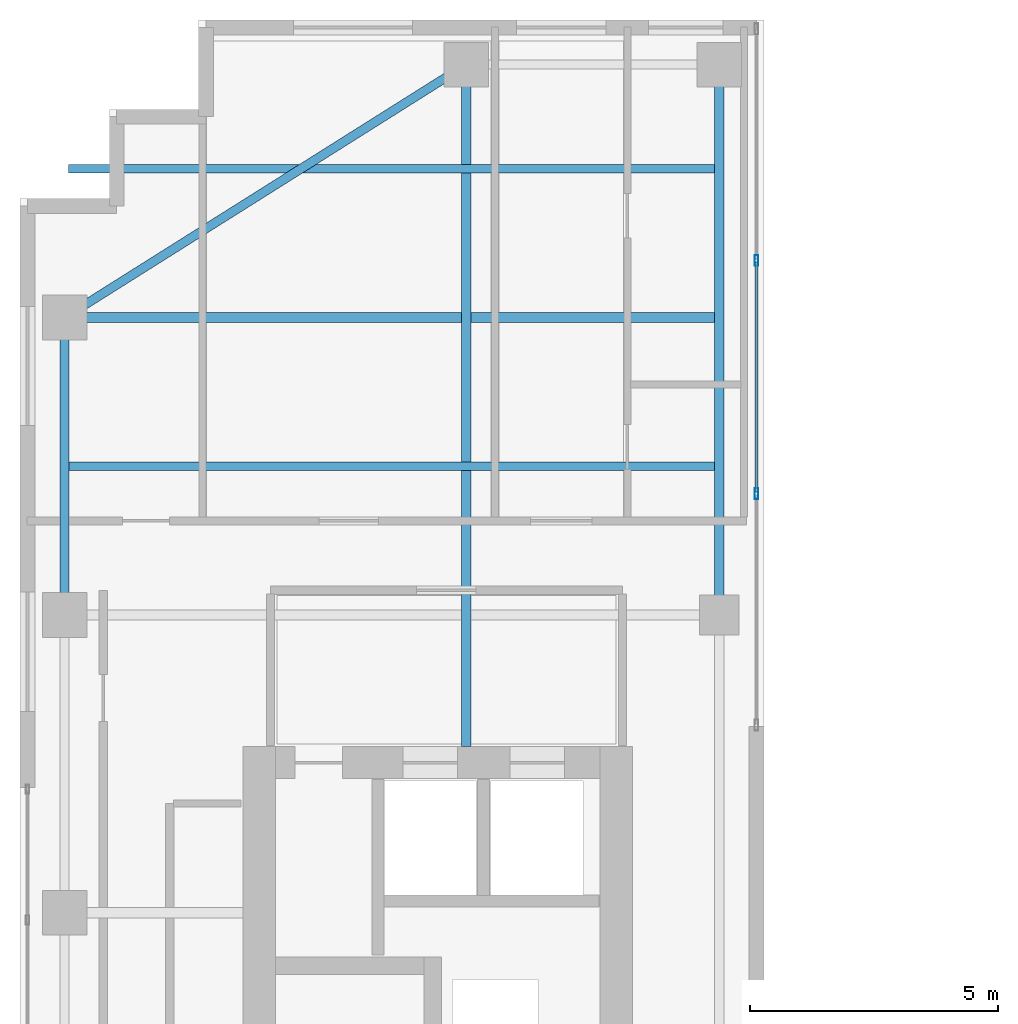
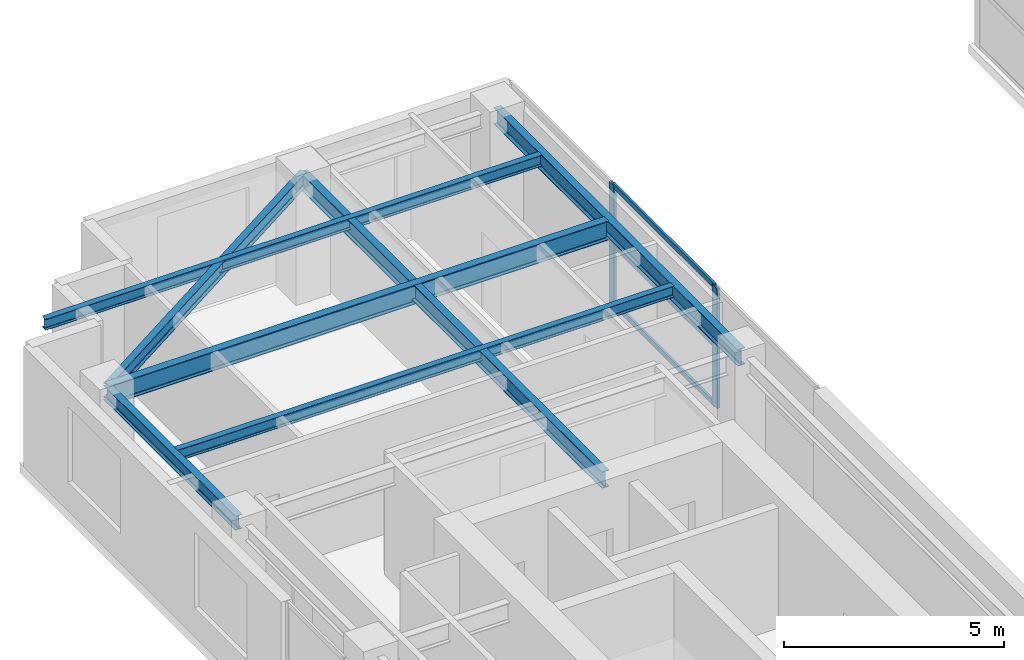
# One storey, part 13 of 22: 7 beams, 5 members, 1 element without a shape of its own.
"""IFC4 building model written with IfcOpenShell, lengths in metres."""

from ifc_helpers import new_model, si_unit, direction, frame, origin, origin_2d, place, context, subcontext, project, spatial, hollow_rectangle, i_section, extrude, source, transform, mapped, material, layer, layer_set, material_profile, profile_set, type_object, element, aggregate, save


model = new_model("IFC4")

# Units and contexts
model_context = context("Model", 3, precision=1e-05, world=origin(), true_north=direction((0.0, 1.0)))
body_context = subcontext(model_context, "Body", "Model", "MODEL_VIEW")
ifc_project = project(units=[si_unit("LENGTHUNIT", "METRE"), si_unit("AREAUNIT", "SQUARE_METRE"), si_unit("VOLUMEUNIT", "CUBIC_METRE"), si_unit("PLANEANGLEUNIT", "RADIAN"), si_unit("MASSUNIT", "GRAM", prefix="KILO")], contexts=[model_context])

# Site, building, storey
site_placement = place(None, origin())
site = spatial("IfcSite", under=ifc_project, at=site_placement, CompositionType="ELEMENT")
building_placement = place(site_placement, origin())
building = spatial("IfcBuilding", under=site, at=building_placement, Name="Khoralis Quay Care Tower", CompositionType="ELEMENT")
storey_placement = place(building_placement, frame((0.0, 0.0, 184.5)))
storey = spatial("IfcBuildingStorey", under=building, at=storey_placement, Name="L48", CompositionType="ELEMENT", Elevation=184.5)

# Beams
ifc_material_1 = material(Name="Steel S355", Category="steel")
ifc_material_profile_1 = material_profile(ifc_material_1, i_section(OverallWidth=0.179931640625, OverallDepth=0.39990234375, WebThickness=0.008544921875, FlangeThickness=0.013427734375, FilletRadius=0.02099609375, at=origin_2d()), Name="Steel S355")
ifc_profile_set_1 = profile_set([ifc_material_profile_1], Name="Steel S355")
beam_type_1 = type_object("IfcBeamType", Name="BM-IPE400", PredefinedType="SPANDREL", material=ifc_profile_set_1)
shared_shape_1 = source(origin(), body_context, "Body", "SweptSolid", [
    extrude(i_section(OverallWidth=0.179931640625, OverallDepth=0.39990234375, WebThickness=0.008544921875, FlangeThickness=0.013427734375, FilletRadius=0.02099609375, at=origin_2d()), origin(), (0.0, 0.0, 1.0), 6.0),
])
beam_1_placement = place(storey_placement, frame((3.89990234375, 30.0, 3.139892578125), z_axis=(0.0, 1.0, 0.0), x_axis=(-1.0, 0.0, 0.0)))
element("IfcBeam", 1, at=beam_1_placement, inside=storey, type_object=beam_type_1, Name="BM-TSP-L48-09", PredefinedType="SPANDREL", context=body_context, shape_type="MappedRepresentation", body=[
    mapped(shared_shape_1, transform((0.0, 0.0, 0.0), scale=1.0)),
])
shared_shape_2 = source(origin(), body_context, "Body", "SweptSolid", [
    extrude(i_section(OverallWidth=0.179931640625, OverallDepth=0.39990234375, WebThickness=0.008544921875, FlangeThickness=0.013427734375, FilletRadius=0.02099609375, at=origin_2d()), origin(), (0.0, 0.0, 1.0), 9.572021484375),
])
beam_2_placement = place(storey_placement, frame((12.0, 41.10009765625, 3.139892578125), z_axis=(-0.846231136359, -0.532815975602, 0.0), x_axis=(0.532815975602, -0.846231136359, 0.0)))
element("IfcBeam", 2, at=beam_2_placement, inside=storey, type_object=beam_type_1, Name="BM-TCR-L48-17", PredefinedType="SPANDREL", context=body_context, shape_type="MappedRepresentation", body=[
    mapped(shared_shape_2, transform((0.0, 0.0, 0.0), scale=1.0)),
])
ifc_material_profile_2 = material_profile(ifc_material_1, i_section(OverallWidth=0.208984375, OverallDepth=0.532958984375, WebThickness=0.01025390625, FlangeThickness=0.015625, FilletRadius=0.01611328125, at=origin_2d()), Name="Steel S355")
ifc_profile_set_2 = profile_set([ifc_material_profile_2], Name="Steel S355")
beam_type_2 = type_object("IfcBeamType", Name="BM-W530X92", PredefinedType="BEAM", material=ifc_profile_set_2)
shared_shape_3 = source(origin(), body_context, "Body", "SweptSolid", [
    extrude(i_section(OverallWidth=0.208984375, OverallDepth=0.532958984375, WebThickness=0.01025390625, FlangeThickness=0.015625, FilletRadius=0.01611328125, at=origin_2d()), origin(), (0.0, 0.0, 1.0), 13.1162109375),
])
beam_3_placement = place(storey_placement, frame((3.89990234375, 36.0, 3.073486328125), z_axis=(1.0, 0.0, 0.0), x_axis=(0.0, 1.0, 0.0)))
element("IfcBeam", 3, at=beam_3_placement, inside=storey, type_object=beam_type_2, Name="BM-TGXW-L48-360", PredefinedType="BEAM", context=body_context, shape_type="MappedRepresentation", body=[
    mapped(shared_shape_3, transform((0.0, 0.0, 0.0), scale=1.0)),
])
ifc_material_profile_3 = material_profile(ifc_material_1, i_section(OverallWidth=0.19189453125, OverallDepth=0.462890625, WebThickness=0.010498046875, FlangeThickness=0.017578125, FilletRadius=0.014892578125, at=origin_2d()), Name="Steel S355")
ifc_profile_set_3 = profile_set([ifc_material_profile_3], Name="Steel S355")
beam_type_3 = type_object("IfcBeamType", Name="BM-W460X89", PredefinedType="BEAM", material=ifc_profile_set_3)
shared_shape_4 = source(origin(), body_context, "Body", "SweptSolid", [
    extrude(i_section(OverallWidth=0.19189453125, OverallDepth=0.462890625, WebThickness=0.010498046875, FlangeThickness=0.017578125, FilletRadius=0.014892578125, at=origin_2d()), origin(), (0.0, 0.0, 1.0), 11.10009765625),
])
beam_4_placement = place(storey_placement, frame((17.10009765625, 30.0, 3.1083984375), z_axis=(0.0, 1.0, 0.0), x_axis=(-1.0, 0.0, 0.0)))
element("IfcBeam", 4, at=beam_4_placement, inside=storey, type_object=beam_type_3, Name="BM-TGYN-L48-171", PredefinedType="BEAM", context=body_context, shape_type="MappedRepresentation", body=[
    mapped(shared_shape_4, transform((0.0, 0.0, 0.0), scale=1.0)),
])
shared_shape_5 = source(origin(), body_context, "Body", "SweptSolid", [
    extrude(i_section(OverallWidth=0.19189453125, OverallDepth=0.462890625, WebThickness=0.010498046875, FlangeThickness=0.017578125, FilletRadius=0.014892578125, at=origin_2d()), origin(), (0.0, 0.0, 1.0), 13.752197265625),
])
beam_5_placement = place(storey_placement, frame((12.0, 27.347900390625, 3.1083984375), z_axis=(0.0, 1.0, 0.0), x_axis=(-1.0, 0.0, 0.0)))
element("IfcBeam", 5, at=beam_5_placement, inside=storey, type_object=beam_type_3, Name="BM-TGYN-L48-120", PredefinedType="BEAM", context=body_context, shape_type="MappedRepresentation", body=[
    mapped(shared_shape_5, transform((0.0, 0.0, 0.0), scale=1.0)),
])
ifc_material_profile_4 = material_profile(ifc_material_1, i_section(OverallWidth=0.1650390625, OverallDepth=0.31005859375, WebThickness=0.005859375, FlangeThickness=0.009765625, FilletRadius=0.011962890625, at=origin_2d()), Name="Steel S355")
ifc_profile_set_4 = profile_set([ifc_material_profile_4], Name="Steel S355")
beam_type_4 = type_object("IfcBeamType", Name="BM-W310X39", PredefinedType="JOIST", material=ifc_profile_set_4)
shared_shape_6 = source(origin(), body_context, "Body", "SweptSolid", [
    extrude(i_section(OverallWidth=0.1650390625, OverallDepth=0.31005859375, WebThickness=0.005859375, FlangeThickness=0.009765625, FilletRadius=0.011962890625, at=origin_2d()), origin(), (0.0, 0.0, 1.0), 13.0400390625),
])
for number, where, z_axis, x_axis, name in (
    (6, (3.97607421875, 33.0, 3.18505859375), (1.0, 0.0, 0.0), (0.0, 1.0, 0.0), "BM-TJS-L48-21"),
    (7, (3.97607421875, 39.0, 3.18505859375), (1.0, 0.0, 0.0), (0.0, 1.0, 0.0), "BM-TJS-L48-23"),
):
    element("IfcBeam", number, at=place(storey_placement, frame(where, z_axis=z_axis, x_axis=x_axis)), inside=storey, type_object=beam_type_4, Name=name, PredefinedType="JOIST", context=body_context, shape_type="MappedRepresentation", body=[
        mapped(shared_shape_6, transform((0.0, 0.0, 0.0), scale=1.0)),
    ])

# Curtain wall, members
ifc_material_2 = material(Name="Pale anodised aluminium", Category="aluminium")
ifc_layer = layer(ifc_material_2, 0.18994140625)
ifc_layer_set = layer_set([ifc_layer], Name="Pale anodised aluminium")
curtain_wall_type = type_object("IfcCurtainWallType", Name="CW-SYS-PORTAL", PredefinedType="NOTDEFINED", material=ifc_layer_set)
curtain_wall_placement = place(storey_placement, origin())
curtain_wall = element("IfcCurtainWall", 8, at=curtain_wall_placement, inside=storey, type_object=curtain_wall_type, Name="L48 Unitised Curtain Wall CW-VP-L48-P1-N", PredefinedType="NOTDEFINED")
ifc_material_profile_5 = material_profile(ifc_material_2, hollow_rectangle(XDim=0.074951171875, YDim=0.219970703125, WallThickness=0.00390625, at=origin_2d()), Name="Pale anodised aluminium")
ifc_profile_set_5 = profile_set([ifc_material_profile_5], Name="Pale anodised aluminium")
member_type_1 = type_object("IfcMemberType", Name="CW-MUL-220", PredefinedType="MULLION", material=ifc_profile_set_5)
shared_shape_7 = source(origin(), body_context, "Body", "SweptSolid", [
    extrude(hollow_rectangle(XDim=0.074951171875, YDim=0.219970703125, WallThickness=0.00390625, at=origin_2d()), origin(), (0.0, 0.0, 1.0), 3.340087890625),
])
member_1_placement = place(storey_placement, frame((17.85009765625, 32.449951171875, 0.0), z_axis=(0.0, 0.0, 1.0), x_axis=(-1.0, 0.0, 0.0)))
member_1 = element("IfcMember", 9, at=member_1_placement, type_object=member_type_1, Name="CW4 mullion 2", PredefinedType="MULLION", context=body_context, shape_type="MappedRepresentation", body=[
    mapped(shared_shape_7, transform((0.0, 0.0, 0.0), scale=1.0)),
])
member_2_placement = place(storey_placement, frame((17.85009765625, 37.14990234375, 0.0), z_axis=(0.0, 0.0, 1.0), x_axis=(-1.0, 0.0, 0.0)))
member_2 = element("IfcMember", 10, at=member_2_placement, type_object=member_type_1, Name="CW4 mullion 3", PredefinedType="MULLION", context=body_context, shape_type="MappedRepresentation", body=[
    mapped(shared_shape_7, transform((0.0, 0.0, 0.0), scale=1.0)),
])
ifc_material_profile_6 = material_profile(ifc_material_2, hollow_rectangle(XDim=0.06005859375, YDim=0.139892578125, WallThickness=0.00390625, at=origin_2d()), Name="Pale anodised aluminium")
ifc_profile_set_6 = profile_set([ifc_material_profile_6], Name="Pale anodised aluminium")
member_type_2 = type_object("IfcMemberType", Name="CW-TRN-140", PredefinedType="USERDEFINED", material=ifc_profile_set_6)
shared_shape_8 = source(origin(), body_context, "Body", "SweptSolid", [
    extrude(hollow_rectangle(XDim=0.06005859375, YDim=0.139892578125, WallThickness=0.00390625, at=origin_2d()), origin(), (0.0, 0.0, 1.0), 4.64013671875),
])
member_3_placement = place(storey_placement, frame((17.85009765625, 32.47998046875, 0.030029296875), z_axis=(0.0, 1.0, 0.0), x_axis=(-1.0, 0.0, 0.0)))
member_3 = element("IfcMember", 11, at=member_3_placement, type_object=member_type_2, Name="CW4 transom 2.1", ObjectType="TRANSOM", PredefinedType="USERDEFINED", context=body_context, shape_type="MappedRepresentation", body=[
    mapped(shared_shape_8, transform((0.0, 0.0, 0.0), scale=1.0)),
])
member_4_placement = place(storey_placement, frame((17.85009765625, 32.47998046875, 1.669921875), z_axis=(0.0, 1.0, 0.0), x_axis=(-1.0, 0.0, 0.0)))
member_4 = element("IfcMember", 12, at=member_4_placement, type_object=member_type_2, Name="CW4 transom 2.2", ObjectType="TRANSOM", PredefinedType="USERDEFINED", context=body_context, shape_type="MappedRepresentation", body=[
    mapped(shared_shape_8, transform((0.0, 0.0, 0.0), scale=1.0)),
])
member_5_placement = place(storey_placement, frame((17.85009765625, 32.47998046875, 3.31005859375), z_axis=(0.0, 1.0, 0.0), x_axis=(-1.0, 0.0, 0.0)))
member_5 = element("IfcMember", 13, at=member_5_placement, type_object=member_type_2, Name="CW4 transom 2.3", ObjectType="TRANSOM", PredefinedType="USERDEFINED", context=body_context, shape_type="MappedRepresentation", body=[
    mapped(shared_shape_8, transform((0.0, 0.0, 0.0), scale=1.0)),
])
aggregate(curtain_wall, [member_1, member_2, member_3, member_4, member_5])

save(model, "model.ifc")
